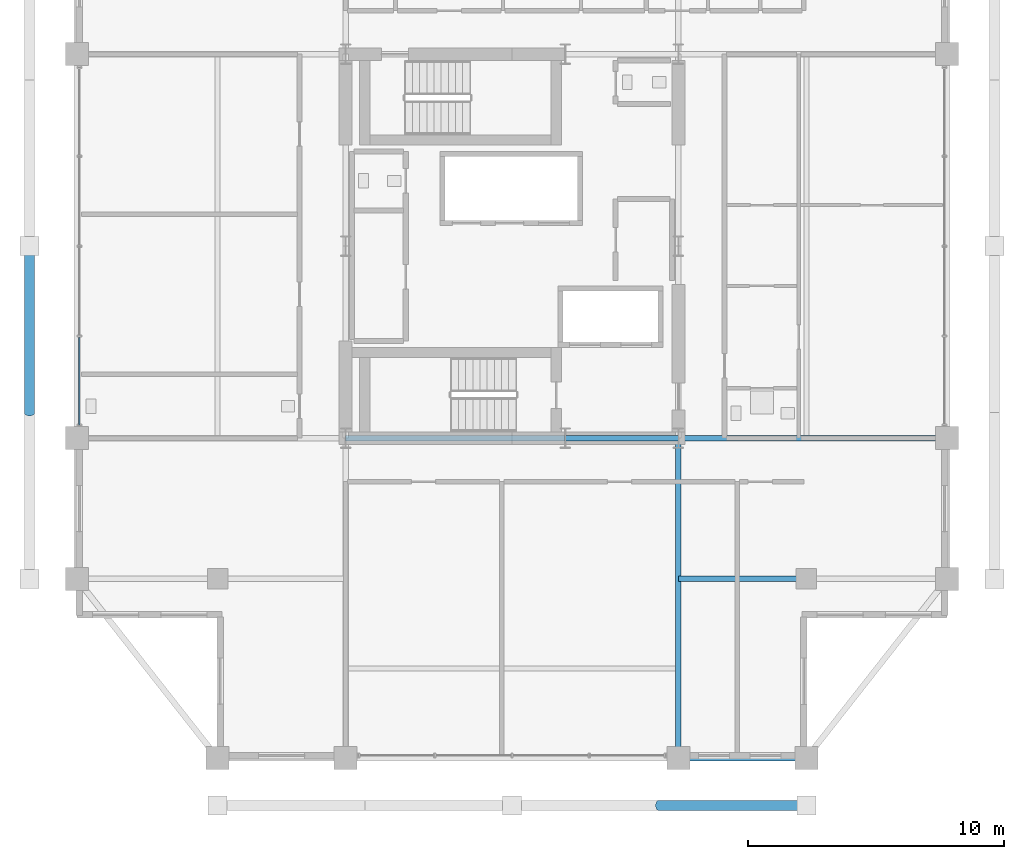
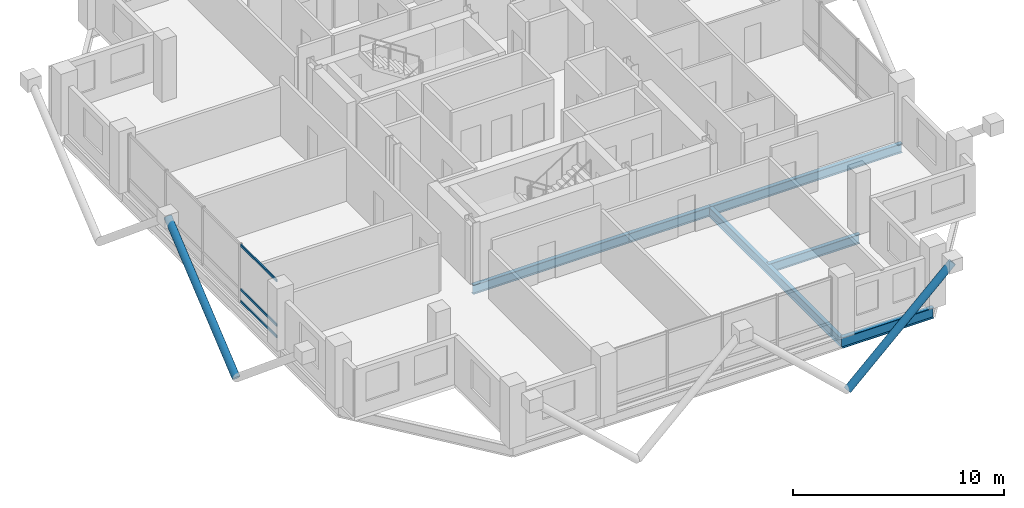
# One storey, part 6 of 23: 6 beams, 5 members, 1 element without a shape of its own.
"""IFC4 building model written with IfcOpenShell, lengths in metres."""

from ifc_helpers import new_model, si_unit, direction, frame, origin, origin_2d, place, context, subcontext, project, spatial, hollow_rectangle, hollow_circle, i_section, extrude, material, layer, layer_set, material_profile, profile_set, type_object, element, aggregate, save


model = new_model("IFC4")

# Units and contexts
model_context = context("Model", 3, precision=1e-05, world=origin(), true_north=direction((0.0, 1.0)))
body_context = subcontext(model_context, "Body", "Model", "MODEL_VIEW")
ifc_project = project(units=[si_unit("LENGTHUNIT", "METRE"), si_unit("AREAUNIT", "SQUARE_METRE"), si_unit("VOLUMEUNIT", "CUBIC_METRE"), si_unit("PLANEANGLEUNIT", "RADIAN"), si_unit("MASSUNIT", "GRAM", prefix="KILO")], contexts=[model_context])

# Site, building, storey
site_placement = place(None, origin())
site = spatial("IfcSite", under=ifc_project, at=site_placement, CompositionType="ELEMENT")
building_placement = place(site_placement, origin())
building = spatial("IfcBuilding", under=site, at=building_placement, Name="Barlavira Tower and Art Museum", CompositionType="ELEMENT")
storey_placement = place(building_placement, frame((0.0, 0.0, 279.89990234375)))
storey = spatial("IfcBuildingStorey", under=building, at=storey_placement, Name="L73", CompositionType="ELEMENT", Elevation=279.89990234375)

# Curtain wall, members
ifc_material_1 = material(Name="Low-iron coastal laminated glass", Category="glass")
ifc_layer = layer(ifc_material_1, 0.2099609375, Name="Low-iron coastal laminated glass")
ifc_layer_set = layer_set([ifc_layer], Name="Low-iron coastal laminated glass")
curtain_wall_type = type_object("IfcCurtainWallType", Name="Pale-Metal Unitised Curtain Wall Zone 4", PredefinedType="NOTDEFINED", material=ifc_layer_set)
curtain_wall_placement = place(storey_placement, origin())
curtain_wall = element("IfcCurtainWall", 1, at=curtain_wall_placement, inside=storey, type_object=curtain_wall_type, Name="L73 Curtain Wall CW4-L73-W-B3", PredefinedType="NOTDEFINED")
ifc_material_2 = material(Name="Pale anodised aluminium", Category="aluminium")
ifc_material_profile_1 = material_profile(ifc_material_2, hollow_rectangle(XDim=0.06494140625, YDim=0.139892578125, WallThickness=0.00390625, at=origin_2d()), Name="ALU-TRAN 65x140x4")
ifc_profile_set_1 = profile_set([ifc_material_profile_1], Name="Pale anodised aluminium")
member_type_1 = type_object("IfcMemberType", Name="Curtain Wall Pale-Metal Transom 65x140", PredefinedType="USERDEFINED", material=ifc_profile_set_1)
member_1_placement = place(storey_placement, frame((-16.89990234375, -3.56005859375, 0.070068359375), z_axis=(0.0, -1.0, 0.0), x_axis=(1.0, 0.0, 0.0)))
member_1 = element("IfcMember", 2, at=member_1_placement, type_object=member_type_1, Name="CW4-L73-W-B3 Transom 3.1", ObjectType="TRANSOM", PredefinedType="USERDEFINED", context=body_context, shape_type="SweptSolid", body=[
    extrude(hollow_rectangle(XDim=0.06494140625, YDim=0.139892578125, WallThickness=0.00390625, at=origin_2d()), origin(), (0.0, 0.0, 1.0), 3.425048828125),
])
member_2_placement = place(storey_placement, frame((-16.89990234375, -3.56005859375, 0.744140625), z_axis=(0.0, -1.0, 0.0), x_axis=(1.0, 0.0, 0.0)))
member_2 = element("IfcMember", 3, at=member_2_placement, type_object=member_type_1, Name="CW4-L73-W-B3 Transom 3.2", ObjectType="TRANSOM", PredefinedType="USERDEFINED", context=body_context, shape_type="SweptSolid", body=[
    extrude(hollow_rectangle(XDim=0.06494140625, YDim=0.139892578125, WallThickness=0.00390625, at=origin_2d()), origin(), (0.0, 0.0, 1.0), 3.425048828125),
])
member_3_placement = place(storey_placement, frame((-16.89990234375, -3.56005859375, 3.31005859375), z_axis=(0.0, -1.0, 0.0), x_axis=(1.0, 0.0, 0.0)))
member_3 = element("IfcMember", 4, at=member_3_placement, type_object=member_type_1, Name="CW4-L73-W-B3 Transom 3.3", ObjectType="TRANSOM", PredefinedType="USERDEFINED", context=body_context, shape_type="SweptSolid", body=[
    extrude(hollow_rectangle(XDim=0.06494140625, YDim=0.139892578125, WallThickness=0.00390625, at=origin_2d()), origin(), (0.0, 0.0, 1.0), 3.425048828125),
])
aggregate(curtain_wall, [member_1, member_2, member_3])

# Members
ifc_material_3 = material(Name="Steel S355", Category="steel")
ifc_material_profile_2 = material_profile(ifc_material_3, hollow_circle(Radius=0.203125, WallThickness=0.01611328125, at=origin_2d()), Name="CHS 406.4x16.0")
ifc_profile_set_2 = profile_set([ifc_material_profile_2], Name="Steel S355")
member_type_2 = type_object("IfcMemberType", Name="Pale-Metal Exoskeleton Diagrid Tube CHS 406x16 Steel S355", PredefinedType="BRACE", material=ifc_profile_set_2)
member_4_placement = place(storey_placement, frame((5.75, -21.85009765625, -1.919921875), z_axis=(0.728950095515, 0.0, 0.684566839869), x_axis=(0.0, 1.0, 0.0)))
element("IfcMember", 5, at=member_4_placement, inside=storey, type_object=member_type_2, Name="L73 Exoskeleton Diagrid Tube S", PredefinedType="BRACE", context=body_context, shape_type="SweptSolid", body=[
    extrude(hollow_circle(Radius=0.203125, WallThickness=0.01611328125, at=origin_2d()), origin(), (0.0, 0.0, 1.0), 7.887939453125),
])
member_5_placement = place(storey_placement, frame((-18.85009765625, -6.5, -1.919921875), z_axis=(0.0, 0.769196053329, 0.639012857104), x_axis=(-1.0, 0.0, 0.0)))
element("IfcMember", 6, at=member_5_placement, inside=storey, type_object=member_type_2, Name="L73 Exoskeleton Diagrid Tube W", PredefinedType="BRACE", context=body_context, shape_type="SweptSolid", body=[
    extrude(hollow_circle(Radius=0.203125, WallThickness=0.01611328125, at=origin_2d()), origin(), (0.0, 0.0, 1.0), 8.450439453125),
])

# Beams
ifc_material_profile_3 = material_profile(ifc_material_3, i_section(OverallWidth=0.22998046875, OverallDepth=0.616943359375, WebThickness=0.01318359375, FlangeThickness=0.022216796875, at=origin_2d()), Name="W610x140.0")
ifc_profile_set_3 = profile_set([ifc_material_profile_3], Name="Steel S355")
beam_type_1 = type_object("IfcBeamType", Name="Upper Shaft Spandrel Edge Beam W610x140 Steel S355", PredefinedType="SPANDREL", material=ifc_profile_set_3)
beam_1_placement = place(storey_placement, frame((6.5, -20.0, -0.5283203125), z_axis=(1.0, 0.0, 0.0), x_axis=(0.0, 1.0, 0.0)))
element("IfcBeam", 7, at=beam_1_placement, inside=storey, type_object=beam_type_1, Name="L73 Spandrel 3", PredefinedType="SPANDREL", context=body_context, shape_type="SweptSolid", body=[
    extrude(i_section(OverallWidth=0.22998046875, OverallDepth=0.616943359375, WebThickness=0.01318359375, FlangeThickness=0.022216796875, at=origin_2d()), origin(), (0.0, 0.0, 1.0), 5.0),
])
ifc_material_profile_4 = material_profile(ifc_material_3, i_section(OverallWidth=0.2109375, OverallDepth=0.5390625, WebThickness=0.01171875, FlangeThickness=0.018798828125, at=origin_2d()), Name="W530x109.0")
ifc_profile_set_4 = profile_set([ifc_material_profile_4], Name="Steel S355")
beam_type_2 = type_object("IfcBeamType", Name="Zone 3-4 Primary Floor Girder W530x109 Steel S355", PredefinedType="BEAM", material=ifc_profile_set_4)
beam_2_placement = place(storey_placement, frame((-6.5, -7.5, -0.489501953125), z_axis=(1.0, 0.0, 0.0), x_axis=(0.0, 1.0, 0.0)))
element("IfcBeam", 8, at=beam_2_placement, inside=storey, type_object=beam_type_2, Name="L73 Girder C-S1", PredefinedType="BEAM", context=body_context, shape_type="SweptSolid", body=[
    extrude(i_section(OverallWidth=0.2109375, OverallDepth=0.5390625, WebThickness=0.01171875, FlangeThickness=0.018798828125, at=origin_2d()), origin(), (0.0, 0.0, 1.0), 8.580078125),
])
beam_3_placement = place(storey_placement, frame((2.080078125, -7.5, -0.489501953125), z_axis=(1.0, 0.0, 0.0), x_axis=(0.0, 1.0, 0.0)))
element("IfcBeam", 9, at=beam_3_placement, inside=storey, type_object=beam_type_2, Name="L73 Girder C-S2", PredefinedType="BEAM", context=body_context, shape_type="SweptSolid", body=[
    extrude(i_section(OverallWidth=0.2109375, OverallDepth=0.5390625, WebThickness=0.01171875, FlangeThickness=0.018798828125, at=origin_2d()), origin(), (0.0, 0.0, 1.0), 4.419921875),
])
beam_4_placement = place(storey_placement, frame((6.5, -20.0, -0.489501953125), z_axis=(0.0, 1.0, 0.0), x_axis=(-1.0, 0.0, 0.0)))
element("IfcBeam", 10, at=beam_4_placement, inside=storey, type_object=beam_type_2, Name="L73 Girder R-S2", PredefinedType="BEAM", context=body_context, shape_type="SweptSolid", body=[
    extrude(i_section(OverallWidth=0.2109375, OverallDepth=0.5390625, WebThickness=0.01171875, FlangeThickness=0.018798828125, at=origin_2d()), origin(), (0.0, 0.0, 1.0), 12.5),
])
beam_5_placement = place(storey_placement, frame((6.5, -7.5, -0.489501953125), z_axis=(1.0, 0.0, 0.0), x_axis=(0.0, 1.0, 0.0)))
element("IfcBeam", 11, at=beam_5_placement, inside=storey, type_object=beam_type_2, Name="L73 Girder R-E1", PredefinedType="BEAM", context=body_context, shape_type="SweptSolid", body=[
    extrude(i_section(OverallWidth=0.2109375, OverallDepth=0.5390625, WebThickness=0.01171875, FlangeThickness=0.018798828125, at=origin_2d()), origin(), (0.0, 0.0, 1.0), 10.5),
])
beam_6_placement = place(storey_placement, frame((6.5, -13.0, -0.489501953125), z_axis=(1.0, 0.0, 0.0), x_axis=(0.0, 1.0, 0.0)))
element("IfcBeam", 12, at=beam_6_placement, inside=storey, type_object=beam_type_2, Name="L73 Girder I-S3", PredefinedType="BEAM", context=body_context, shape_type="SweptSolid", body=[
    extrude(i_section(OverallWidth=0.2109375, OverallDepth=0.5390625, WebThickness=0.01171875, FlangeThickness=0.018798828125, at=origin_2d()), origin(), (0.0, 0.0, 1.0), 5.0),
])

save(model, "model.ifc")
